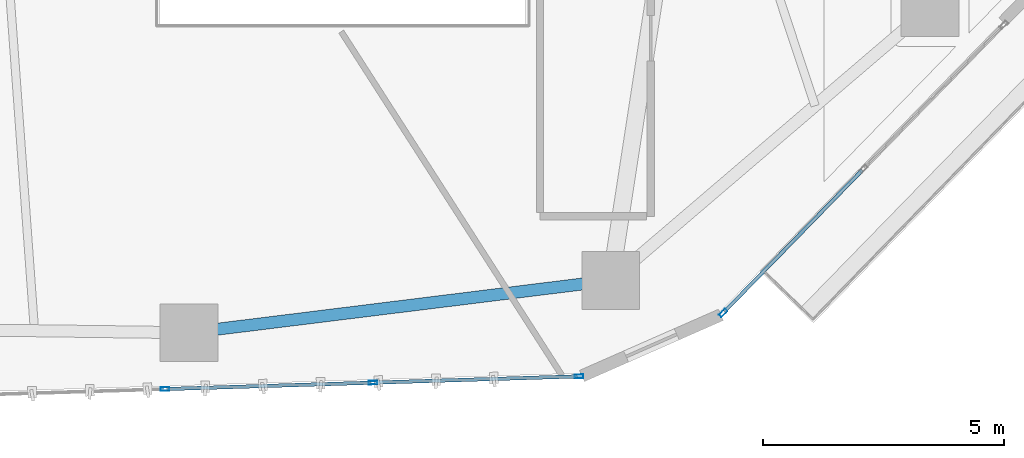
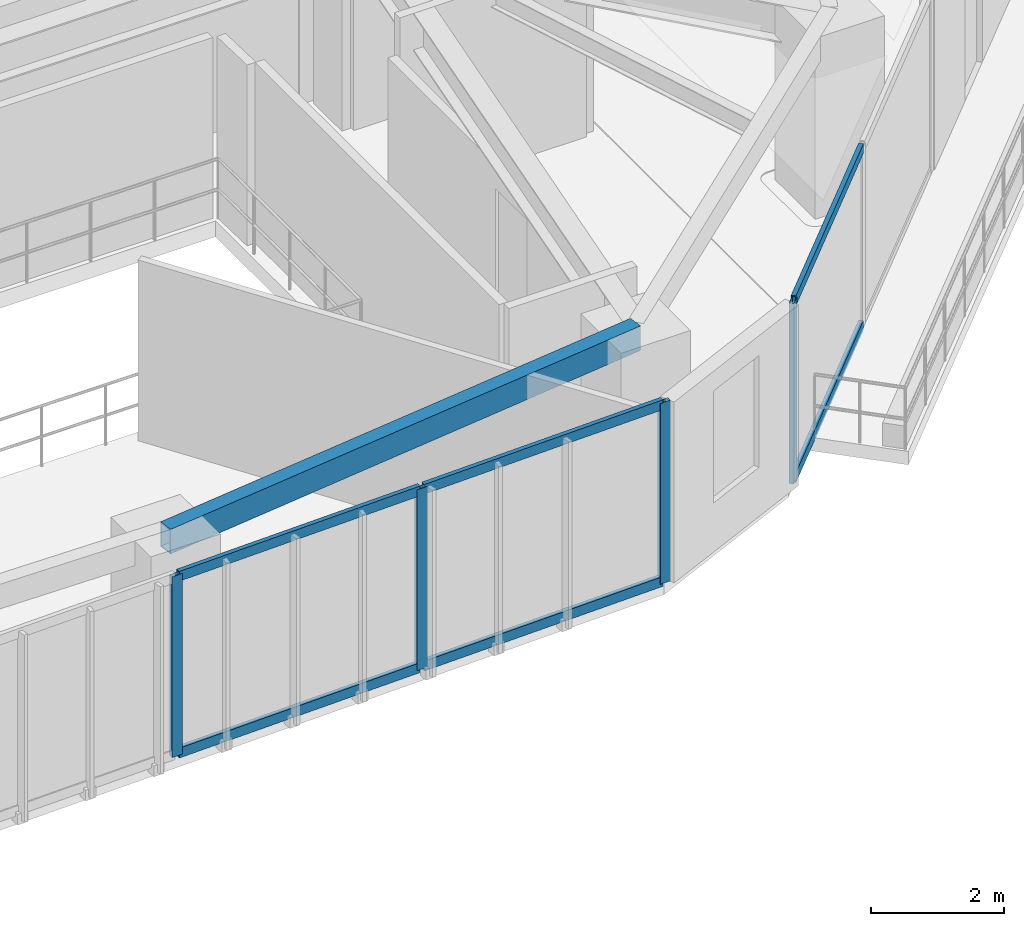
# One storey, part 5 of 23: 10 members, 1 beam, 2 elements without a shape of their own.
"""IFC4 building model written with IfcOpenShell, lengths in metres."""

from ifc_helpers import new_model, si_unit, direction, frame, origin, origin_2d, place, context, subcontext, project, spatial, hollow_rectangle, extrude, source, transform, mapped, material, layer, layer_set, material_profile, profile_set, type_object, type_shapes, element, aggregate, save


model = new_model("IFC4")

# Units and contexts
model_context = context("Model", 3, precision=1e-05, world=origin(), true_north=direction((0.0, 1.0)))
body_context = subcontext(model_context, "Body", "Model", "MODEL_VIEW")
ifc_project = project(units=[si_unit("LENGTHUNIT", "METRE"), si_unit("AREAUNIT", "SQUARE_METRE"), si_unit("VOLUMEUNIT", "CUBIC_METRE"), si_unit("PLANEANGLEUNIT", "RADIAN"), si_unit("MASSUNIT", "GRAM", prefix="KILO")], contexts=[model_context])

# Site, building, storey
site_placement = place(None, origin())
site = spatial("IfcSite", under=ifc_project, at=site_placement, CompositionType="ELEMENT")
building_placement = place(site_placement, origin())
building = spatial("IfcBuilding", under=site, at=building_placement, Name="Talar Marvaseh", CompositionType="ELEMENT")
storey_placement = place(building_placement, frame((0.0, 0.0, 96.60009765625)))
storey = spatial("IfcBuildingStorey", under=building, at=storey_placement, Name="L24", CompositionType="ELEMENT", Elevation=96.60009765625)

# Beam
ifc_material_1 = material(Name="Steel S355", Category="steel")
ifc_material_profile_1 = material_profile(ifc_material_1, hollow_rectangle(XDim=0.25, YDim=0.449951171875, WallThickness=0.01611328125, at=origin_2d()), Name="RHS450x250x16")
ifc_profile_set_1 = profile_set([ifc_material_profile_1], Name="Steel S355")
beam_type = type_object("IfcBeamType", Name="Zone 2 Perimeter Spandrel Beam RHS450x250x16", PredefinedType="SPANDREL", material=ifc_profile_set_1)
beam_placement = place(storey_placement, frame((31.570068359375, 14.26806640625, 3.0849609375), z_axis=(-0.992426007218, -0.122843885468, 0.0), x_axis=(0.122843885468, -0.992426007218, 0.0)))
element("IfcBeam", 1, at=beam_placement, inside=storey, type_object=beam_type, Name="L24 Zone 2 Perimeter Spandrel Beam RHS450x250x16", PredefinedType="SPANDREL", context=body_context, shape_type="SweptSolid", body=[
    extrude(hollow_rectangle(XDim=0.25, YDim=0.449951171875, WallThickness=0.01611328125, at=origin_2d()), origin(), (0.0, 0.0, 1.0), 8.83203125),
])

# Curtain wall, members
ifc_material_2 = material(Name="Architectural Aluminium", Category="aluminium")
ifc_layer = layer(ifc_material_2, 0.199951171875)
ifc_layer_set = layer_set([ifc_layer], Name="Architectural Aluminium")
curtain_wall_type = type_object("IfcCurtainWallType", Name="Unitised Acoustic Library Curtain Wall Z2", PredefinedType="NOTDEFINED", material=ifc_layer_set)
curtain_wall_1_placement = place(storey_placement, origin())
curtain_wall_1 = element("IfcCurtainWall", 2, at=curtain_wall_1_placement, inside=storey, type_object=curtain_wall_type, Name="L24 Unitised Acoustic Library Curtain Wall Z2", PredefinedType="NOTDEFINED")
ifc_material_profile_2 = material_profile(ifc_material_2, hollow_rectangle(XDim=0.074951171875, YDim=0.179931640625, WallThickness=0.0048828125, at=origin_2d()), Name="RHS180x75x5")
ifc_profile_set_2 = profile_set([ifc_material_profile_2], Name="Architectural Aluminium")
member_type_1 = type_object("IfcMemberType", Name="Unitised Curtain Wall Transom RHS180x75x5", PredefinedType="USERDEFINED", material=ifc_profile_set_2)
shared_shape_1 = source(origin(), body_context, "Body", "SweptSolid", [
    extrude(hollow_rectangle(XDim=0.074951171875, YDim=0.179931640625, WallThickness=0.0048828125, at=origin_2d()), origin(), (0.0, 0.0, 1.0), 4.211181640625),
])
member_1_placement = place(storey_placement, frame((30.874755859375, 12.27587890625, 0.037353515625), z_axis=(-0.999527840024, -0.030726161778, 0.0), x_axis=(0.030726161778, -0.999527840024, 0.0)))
member_1 = element("IfcMember", 3, at=member_1_placement, type_object=member_type_1, Name="CW-Z2 transom 1.1", ObjectType="TRANSOM", PredefinedType="USERDEFINED", context=body_context, shape_type="MappedRepresentation", body=[
    mapped(shared_shape_1, transform((0.0, 0.0, 0.0), x_axis=(1.0, 0.0, 0.0), y_axis=(0.0, 1.0, 0.0), z_axis=(0.0, 0.0, 1.0), scale=1.0)),
])
member_2_placement = place(storey_placement, frame((30.874755859375, 12.27587890625, 3.2724609375), z_axis=(-0.999527840024, -0.030726161778, 0.0), x_axis=(0.030726161778, -0.999527840024, 0.0)))
member_2 = element("IfcMember", 4, at=member_2_placement, type_object=member_type_1, Name="CW-Z2 transom 1.2", ObjectType="TRANSOM", PredefinedType="USERDEFINED", context=body_context, shape_type="MappedRepresentation", body=[
    mapped(shared_shape_1, transform((0.0, 0.0, 0.0), x_axis=(1.0, 0.0, 0.0), y_axis=(0.0, 1.0, 0.0), z_axis=(0.0, 0.0, 1.0), scale=1.0)),
])
shared_shape_2 = source(origin(), body_context, "Body", "SweptSolid", [
    extrude(hollow_rectangle(XDim=0.074951171875, YDim=0.179931640625, WallThickness=0.0048828125, at=origin_2d()), origin(), (0.0, 0.0, 1.0), 4.248291015625),
])
member_3_placement = place(storey_placement, frame((26.590576171875, 12.144287109375, 0.037353515625), z_axis=(-0.99952902633, -0.030687546718, 0.0), x_axis=(0.030687546718, -0.99952902633, 0.0)))
member_3 = element("IfcMember", 5, at=member_3_placement, type_object=member_type_1, Name="CW-Z2 transom 2.1", ObjectType="TRANSOM", PredefinedType="USERDEFINED", context=body_context, shape_type="MappedRepresentation", body=[
    mapped(shared_shape_2, transform((0.0, 0.0, 0.0), x_axis=(1.0, 0.0, 0.0), y_axis=(0.0, 1.0, 0.0), z_axis=(0.0, 0.0, 1.0), scale=1.0)),
])
member_4_placement = place(storey_placement, frame((26.590576171875, 12.144287109375, 3.2724609375), z_axis=(-0.99952902633, -0.030687546718, 0.0), x_axis=(0.030687546718, -0.99952902633, 0.0)))
member_4 = element("IfcMember", 6, at=member_4_placement, type_object=member_type_1, Name="CW-Z2 transom 2.2", ObjectType="TRANSOM", PredefinedType="USERDEFINED", context=body_context, shape_type="MappedRepresentation", body=[
    mapped(shared_shape_2, transform((0.0, 0.0, 0.0), x_axis=(1.0, 0.0, 0.0), y_axis=(0.0, 1.0, 0.0), z_axis=(0.0, 0.0, 1.0), scale=1.0)),
])

# Curtain wall, member
curtain_wall_2_placement = place(storey_placement, origin())
curtain_wall_2 = element("IfcCurtainWall", 7, at=curtain_wall_2_placement, inside=storey, type_object=curtain_wall_type, Name="L24 Unitised Acoustic Library Curtain Wall Z2", PredefinedType="NOTDEFINED")
ifc_material_profile_3 = material_profile(ifc_material_2, hollow_rectangle(XDim=0.074951171875, YDim=0.179931640625, WallThickness=0.0048828125, at=origin_2d()), Name="RHS180x75x5")
ifc_profile_set_3 = profile_set([ifc_material_profile_3], Name="Architectural Aluminium")
member_type_2 = type_object("IfcMemberType", Name="Unitised Curtain Wall Standard Mullion RHS180x75x5", PredefinedType="MULLION", material=ifc_profile_set_3)
shared_shape_3 = source(origin(), body_context, "Body", "SweptSolid", [
    extrude(hollow_rectangle(XDim=0.074951171875, YDim=0.179931640625, WallThickness=0.0048828125, at=origin_2d()), origin(), (0.0, 0.0, 1.0), 3.309814453125),
])
type_shapes(member_type_2, [shared_shape_3])
member_5_placement = place(storey_placement, frame((33.905029296875, 13.59375, 0.0), z_axis=(0.0, 0.0, 1.0), x_axis=(0.716198424478, -0.697896709245, 0.0)))
member_5 = element("IfcMember", 8, at=member_5_placement, type_object=member_type_2, Name="CW-Z2 mullion 3", PredefinedType="MULLION", context=body_context, shape_type="MappedRepresentation", body=[
    mapped(shared_shape_3, transform((0.0, 0.0, 0.0), x_axis=(1.0, 0.0, 0.0), y_axis=(0.0, 1.0, 0.0), z_axis=(0.0, 0.0, 1.0), scale=1.0)),
])

# Member
member_6_placement = place(storey_placement, frame((30.912109375, 12.27685546875, 0.0), z_axis=(0.0, 0.0, 1.0), x_axis=(0.030692605579, -0.999528871, 0.0)))
member_6 = element("IfcMember", 9, at=member_6_placement, type_object=member_type_2, Name="CW-Z2 mullion 1", PredefinedType="MULLION", context=body_context, shape_type="MappedRepresentation", body=[
    mapped(shared_shape_3, transform((0.0, 0.0, 0.0), x_axis=(1.0, 0.0, 0.0), y_axis=(0.0, 1.0, 0.0), z_axis=(0.0, 0.0, 1.0), scale=1.0)),
])

member_7_placement = place(storey_placement, frame((26.628173828125, 12.1455078125, 0.0), z_axis=(0.0, 0.0, 1.0), x_axis=(0.030692605579, -0.999528871, 0.0)))
member_7 = element("IfcMember", 10, at=member_7_placement, type_object=member_type_2, Name="CW-Z2 mullion 2", PredefinedType="MULLION", context=body_context, shape_type="MappedRepresentation", body=[
    mapped(shared_shape_3, transform((0.0, 0.0, 0.0), x_axis=(1.0, 0.0, 0.0), y_axis=(0.0, 1.0, 0.0), z_axis=(0.0, 0.0, 1.0), scale=1.0)),
])

member_8_placement = place(storey_placement, frame((22.306640625, 12.0126953125, 0.0), z_axis=(0.0, 0.0, 1.0), x_axis=(0.030692605579, -0.999528871, 0.0)))
member_8 = element("IfcMember", 11, at=member_8_placement, type_object=member_type_2, Name="CW-Z2 mullion 3", PredefinedType="MULLION", context=body_context, shape_type="MappedRepresentation", body=[
    mapped(shared_shape_3, transform((0.0, 0.0, 0.0), x_axis=(1.0, 0.0, 0.0), y_axis=(0.0, 1.0, 0.0), z_axis=(0.0, 0.0, 1.0), scale=1.0)),
])

aggregate(curtain_wall_1, [member_6, member_7, member_8, member_1, member_2, member_3, member_4])

shared_shape_4 = source(origin(), body_context, "Body", "SweptSolid", [
    extrude(hollow_rectangle(XDim=0.074951171875, YDim=0.179931640625, WallThickness=0.0048828125, at=origin_2d()), origin(), (0.0, 0.0, 1.0), 4.10302734375),
])
type_shapes(member_type_1, [shared_shape_1, shared_shape_2, shared_shape_4])
member_9_placement = place(storey_placement, frame((36.794677734375, 16.55908203125, 0.037353515625), z_axis=(-0.697914033713, -0.716181542311, 0.0), x_axis=(0.716181542311, -0.697914033713, 0.0)))
member_9 = element("IfcMember", 12, at=member_9_placement, type_object=member_type_1, Name="CW-Z2 transom 2.1", ObjectType="TRANSOM", PredefinedType="USERDEFINED", context=body_context, shape_type="MappedRepresentation", body=[
    mapped(shared_shape_4, transform((0.0, 0.0, 0.0), x_axis=(1.0, 0.0, 0.0), y_axis=(0.0, 1.0, 0.0), z_axis=(0.0, 0.0, 1.0), scale=1.0)),
])

member_10_placement = place(storey_placement, frame((36.794677734375, 16.55908203125, 3.2724609375), z_axis=(-0.697914033713, -0.716181542311, 0.0), x_axis=(0.716181542311, -0.697914033713, 0.0)))
member_10 = element("IfcMember", 13, at=member_10_placement, type_object=member_type_1, Name="CW-Z2 transom 2.2", ObjectType="TRANSOM", PredefinedType="USERDEFINED", context=body_context, shape_type="MappedRepresentation", body=[
    mapped(shared_shape_4, transform((0.0, 0.0, 0.0), x_axis=(1.0, 0.0, 0.0), y_axis=(0.0, 1.0, 0.0), z_axis=(0.0, 0.0, 1.0), scale=1.0)),
])

aggregate(curtain_wall_2, [member_5, member_9, member_10])

save(model, "model.ifc")
